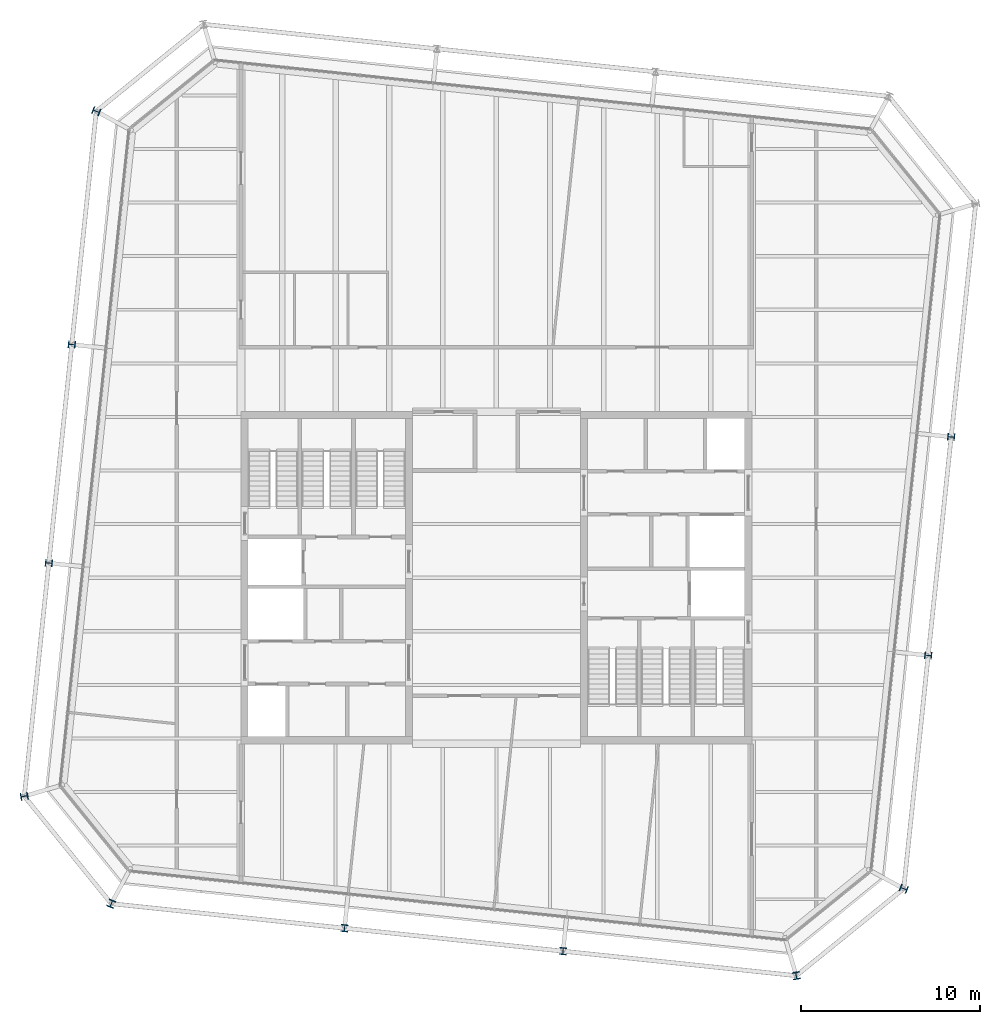
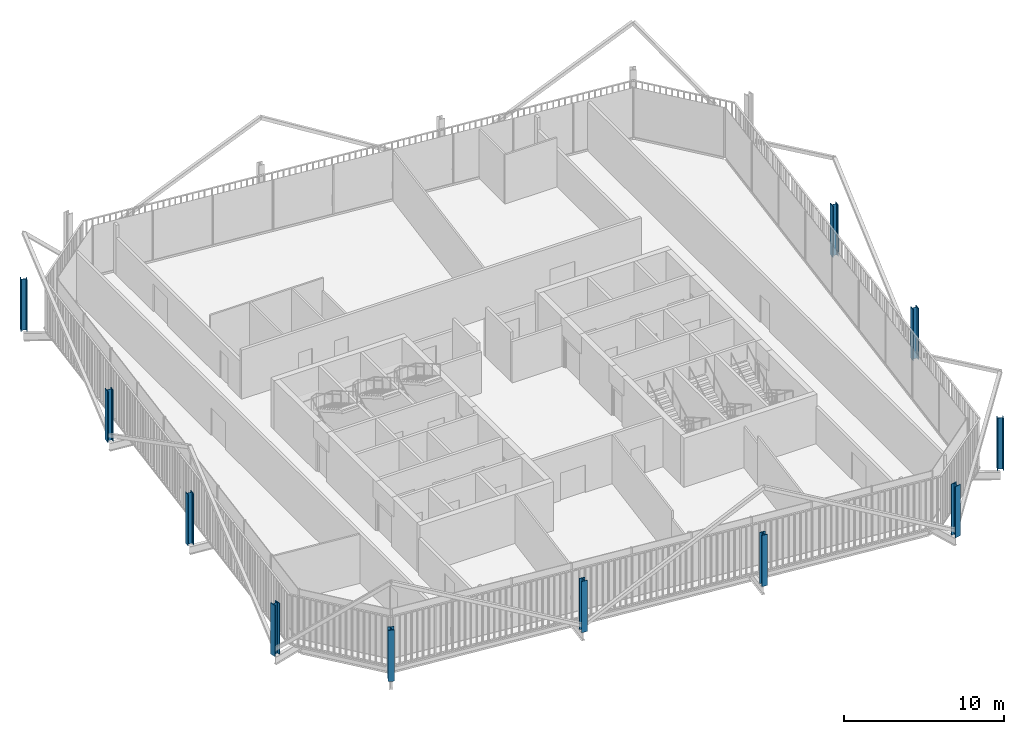
# One storey, part 1 of 21: 11 columns.
"""IFC4 building model written with IfcOpenShell, lengths in metres."""

from ifc_helpers import new_model, si_unit, direction, frame, origin, origin_2d, place, context, subcontext, project, spatial, i_section, extrude, material, material_profile, profile_set, type_object, element, save


model = new_model("IFC4")

# Units and contexts
model_context = context("Model", 3, precision=1e-05, world=origin(), true_north=direction((0.0, 1.0)))
body_context = subcontext(model_context, "Body", "Model", "MODEL_VIEW")
ifc_project = project(units=[si_unit("LENGTHUNIT", "METRE"), si_unit("AREAUNIT", "SQUARE_METRE"), si_unit("VOLUMEUNIT", "CUBIC_METRE"), si_unit("PLANEANGLEUNIT", "RADIAN"), si_unit("MASSUNIT", "GRAM", prefix="KILO")], contexts=[model_context])

# Site, building, storey
site_placement = place(None, origin())
site = spatial("IfcSite", under=ifc_project, at=site_placement, CompositionType="ELEMENT")
building_placement = place(site_placement, origin())
building = spatial("IfcBuilding", under=site, at=building_placement, Name="Millrace Tower", CompositionType="ELEMENT")
storey_placement = place(building_placement, frame((0.0, 0.0, 291.60009765625)))
storey = spatial("IfcBuildingStorey", under=building, at=storey_placement, Name="L67", CompositionType="ELEMENT", Elevation=291.60009765625)

# Columns
ifc_material_1 = material(Name="Steel ASTM A913 Grade 65", Category="steel")
ifc_material_profile_1 = material_profile(ifc_material_1, i_section(OverallWidth=0.4013671875, OverallDepth=0.398681640625, WebThickness=0.02490234375, FlangeThickness=0.03955078125, FilletRadius=0.01513671875, at=origin_2d()))
ifc_profile_set_1 = profile_set([ifc_material_profile_1], Name="Steel ASTM A913 Grade 65")
column_type_1 = type_object("IfcColumnType", Name="Exoskeleton column W14x211", PredefinedType="COLUMN", material=ifc_profile_set_1)
for number, where, z_axis, x_axis, name in (
    (1, (-8.50341796875, -19.62158203125, 0.0), (0.0, 0.0, 1.0), (0.994521897246, -0.104528445407, 0.0), "COL-E-L67-X03"),
    (2, (3.729248046875, -20.9072265625, 0.0), (0.0, 0.0, 1.0), (0.994521897246, -0.104528445407, 0.0), "COL-E-L67-X04"),
    (3, (24.171630859375, -4.353271484375, 0.0), (0.0, 0.0, 1.0), (0.104528445407, 0.994521897246, 0.0), "COL-E-L67-X07"),
    (4, (25.457275390625, 7.879150390625, 0.0), (0.0, 0.0, 1.0), (0.104528445407, 0.994521897246, 0.0), "COL-E-L67-X08"),
    (5, (-23.771484375, 13.053466796875, 0.0), (0.0, 0.0, 1.0), (-0.104528445407, -0.994521897246, 0.0), "COL-E-L67-X15"),
    (6, (-25.057373046875, 0.82080078125, 0.0), (0.0, 0.0, 1.0), (-0.104528445407, -0.994521897246, 0.0), "COL-E-L67-X16"),
):
    element("IfcColumn", number, at=place(storey_placement, frame(where, z_axis=z_axis, x_axis=x_axis)), inside=storey, type_object=column_type_1, Name=name, PredefinedType="COLUMN", context=body_context, shape_type="SweptSolid", body=[
        extrude(i_section(OverallWidth=0.4013671875, OverallDepth=0.398681640625, WebThickness=0.02490234375, FlangeThickness=0.03955078125, FilletRadius=0.01513671875, at=origin_2d()), origin(), (0.0, 0.0, 1.0), 3.89990234375),
    ])
ifc_material_2 = material(Name="Steel ASTM A913 Grade 65", Category="steel")
ifc_material_profile_2 = material_profile(ifc_material_2, i_section(OverallWidth=0.406494140625, OverallDepth=0.41650390625, WebThickness=0.030029296875, FlangeThickness=0.048095703125, FilletRadius=0.01513671875, at=origin_2d()))
ifc_profile_set_2 = profile_set([ifc_material_profile_2], Name="Steel ASTM A913 Grade 65")
column_type_2 = type_object("IfcColumnType", Name="Exoskeleton column W14x257", PredefinedType="COLUMN", material=ifc_profile_set_2)
for number, where, z_axis, x_axis, name in (
    (7, (-26.429443359375, -12.23583984375, 0.0), (0.0, 0.0, 1.0), (0.18038747256, -0.983595628164, 0.0), "COL-E-L67-X01"),
    (8, (-21.559814453125, -18.249267578125, 0.0), (0.0, 0.0, 1.0), (0.92459700658, -0.380946683176, 0.0), "COL-E-L67-X02"),
    (9, (16.78564453125, -22.279541015625, 0.0), (0.0, 0.0, 1.0), (0.983595628164, 0.18038747256, 0.0), "COL-E-L67-X05"),
    (10, (22.79931640625, -17.409912109375, 0.0), (0.0, 0.0, 1.0), (0.380946683176, 0.92459700658, 0.0), "COL-E-L67-X06"),
    (11, (-22.399169921875, 26.10986328125, 0.0), (0.0, 0.0, 1.0), (-0.380946683176, -0.92459700658, 0.0), "COL-E-L67-X14"),
):
    element("IfcColumn", number, at=place(storey_placement, frame(where, z_axis=z_axis, x_axis=x_axis)), inside=storey, type_object=column_type_2, Name=name, PredefinedType="COLUMN", context=body_context, shape_type="SweptSolid", body=[
        extrude(i_section(OverallWidth=0.406494140625, OverallDepth=0.41650390625, WebThickness=0.030029296875, FlangeThickness=0.048095703125, FilletRadius=0.01513671875, at=origin_2d()), origin(), (0.0, 0.0, 1.0), 3.89990234375),
    ])

save(model, "model.ifc")
